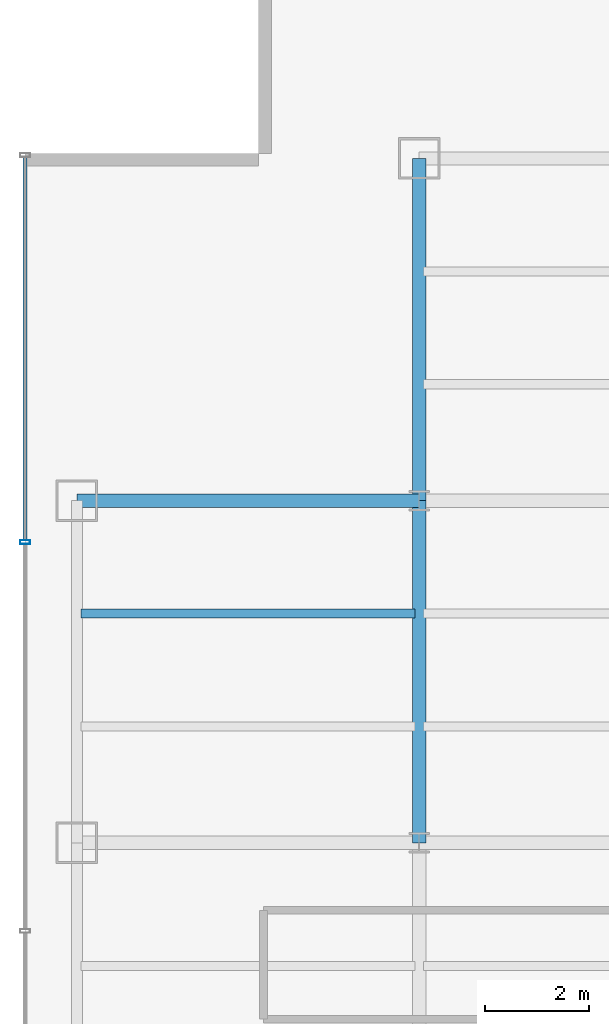
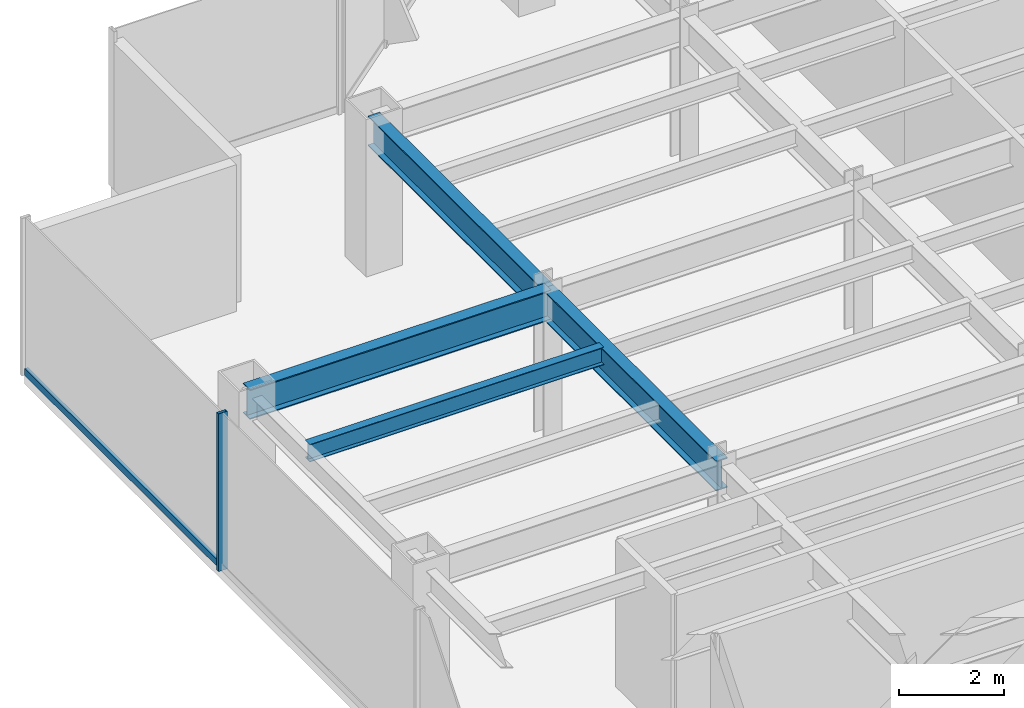
# One storey, part 6 of 26: 4 beams, 2 members, 1 element without a shape of its own.
"""IFC4 building model written with IfcOpenShell, lengths in metres."""

from ifc_helpers import new_model, si_unit, derived_unit, direction, frame, origin, origin_2d, place, context, subcontext, project, spatial, hollow_rectangle, i_section, extrude, source, transform, mapped, material, material_profile, profile_set, type_object, element, aggregate, save


model = new_model("IFC4")

# Units and contexts
model_context = context("Model", 3, precision=1e-05, world=origin(), true_north=direction((0.0, 1.0)))
body_context = subcontext(model_context, "Body", "Model", "MODEL_VIEW")
ifc_project = project(units=[si_unit("LENGTHUNIT", "METRE"), si_unit("AREAUNIT", "SQUARE_METRE"), si_unit("VOLUMEUNIT", "CUBIC_METRE"), si_unit("PLANEANGLEUNIT", "RADIAN"), si_unit("MASSUNIT", "GRAM", prefix="KILO"), derived_unit("THERMALTRANSMITTANCEUNIT", [(si_unit("POWERUNIT", "WATT"), 1), (si_unit("LENGTHUNIT", "METRE"), -2), (si_unit("THERMODYNAMICTEMPERATUREUNIT", "KELVIN"), -1)])], contexts=[model_context])

# Site, building, storey
site_placement = place(None, origin())
site = spatial("IfcSite", under=ifc_project, at=site_placement, CompositionType="ELEMENT")
building_placement = place(site_placement, origin())
building = spatial("IfcBuilding", under=site, at=building_placement, Name="Skarnbrae Concourse Arena and Tower", CompositionType="ELEMENT")
storey_placement = place(building_placement, frame((0.0, 0.0, 95.949951171875)))
storey = spatial("IfcBuildingStorey", under=building, at=storey_placement, Name="L23", CompositionType="ELEMENT", Elevation=95.949951171875)

# Beams
ifc_material_1 = material(Name="Steel CSA G40.21 350W", Category="steel")
ifc_material_profile_1 = material_profile(ifc_material_1, i_section(OverallWidth=0.256103515625, OverallDepth=0.693115234375, WebThickness=0.014404296875, FlangeThickness=0.023681640625, at=origin_2d()), Name="W690X170")
ifc_profile_set_1 = profile_set([ifc_material_profile_1], Name="Steel CSA G40.21 350W")
beam_type_1 = type_object("IfcBeamType", Name="BM-GIRD-W690X170", PredefinedType="BEAM", material=ifc_profile_set_1)
shared_shape_1 = source(origin(), body_context, "Body", "SweptSolid", [
    extrude(i_section(OverallWidth=0.256103515625, OverallDepth=0.693115234375, WebThickness=0.014404296875, FlangeThickness=0.023681640625, at=origin_2d()), origin(), (0.0, 0.0, 1.0), 6.60009765625),
])
for number, where, z_axis, x_axis, name in (
    (1, (1.0, 27.800048828125, 3.053466796875), (1.0, 0.0, 0.0), (0.0, 1.0, 0.0), "L23 Primary E-W girder Y27.8-1"),
    (2, (7.60009765625, 21.199951171875, 3.053466796875), (0.0, 1.0, 0.0), (-1.0, 0.0, 0.0), "L23 Primary N-S girder X7.6-2"),
):
    element("IfcBeam", number, at=place(storey_placement, frame(where, z_axis=z_axis, x_axis=x_axis)), inside=storey, type_object=beam_type_1, Name=name, PredefinedType="BEAM", context=body_context, shape_type="MappedRepresentation", body=[
        mapped(shared_shape_1, transform((0.0, 0.0, 0.0))),
    ])
shared_shape_2 = source(origin(), body_context, "Body", "SweptSolid", [
    extrude(i_section(OverallWidth=0.256103515625, OverallDepth=0.693115234375, WebThickness=0.014404296875, FlangeThickness=0.023681640625, at=origin_2d()), origin(), (0.0, 0.0, 1.0), 6.599853515625),
])
beam_1_placement = place(storey_placement, frame((7.60009765625, 27.800048828125, 3.053466796875), z_axis=(0.0, 1.0, 0.0), x_axis=(-1.0, 0.0, 0.0)))
element("IfcBeam", 3, at=beam_1_placement, inside=storey, type_object=beam_type_1, Name="L23 Primary N-S girder X7.6-3", PredefinedType="BEAM", context=body_context, shape_type="MappedRepresentation", body=[
    mapped(shared_shape_2, transform((0.0, 0.0, 0.0))),
])
ifc_material_profile_2 = material_profile(ifc_material_1, i_section(OverallWidth=0.177978515625, OverallDepth=0.406982421875, WebThickness=0.0078125, FlangeThickness=0.0126953125, at=origin_2d()), Name="W410X60")
ifc_profile_set_2 = profile_set([ifc_material_profile_2], Name="Steel CSA G40.21 350W")
beam_type_2 = type_object("IfcBeamType", Name="BM-JOIST-W410X60", PredefinedType="JOIST", material=ifc_profile_set_2)
shared_shape_3 = source(origin(), body_context, "Body", "SweptSolid", [
    extrude(i_section(OverallWidth=0.177978515625, OverallDepth=0.406982421875, WebThickness=0.0078125, FlangeThickness=0.0126953125, at=origin_2d()), origin(), (0.0, 0.0, 1.0), 6.43994140625),
])
beam_2_placement = place(storey_placement, frame((1.080078125, 25.6220703125, 3.196533203125), z_axis=(1.0, 0.0, 0.0), x_axis=(0.0, 1.0, 0.0)))
element("IfcBeam", 4, at=beam_2_placement, inside=storey, type_object=beam_type_2, Name="L23 Secondary floor joist 2.2.1", PredefinedType="JOIST", context=body_context, shape_type="MappedRepresentation", body=[
    mapped(shared_shape_3, transform((0.0, 0.0, 0.0))),
])

# Curtain wall, members
ifc_material_2 = material(Name="Bronze anodised aluminium 6063-T6", Category="aluminium")
curtain_wall_type = type_object("IfcCurtainWallType", Name="CW-SYS-04-MIDZONE", PredefinedType="USERDEFINED", material=ifc_material_2)
curtain_wall_placement = place(storey_placement, origin())
curtain_wall = element("IfcCurtainWall", 5, at=curtain_wall_placement, inside=storey, type_object=curtain_wall_type, Name="L23 Unitised curtain wall CW-L23-E19", ObjectType="UNITISED CURTAIN WALL", PredefinedType="USERDEFINED")
ifc_material_profile_3 = material_profile(ifc_material_2, hollow_rectangle(XDim=0.074951171875, YDim=0.195068359375, WallThickness=0.00439453125, at=origin_2d()), Name="ALU-MULL-75X195")
ifc_profile_set_3 = profile_set([ifc_material_profile_3], Name="Bronze anodised aluminium 6063-T6")
member_type_1 = type_object("IfcMemberType", Name="CWM-CW-04", PredefinedType="MULLION", material=ifc_profile_set_3)
shared_shape_4 = source(origin(), body_context, "Body", "SweptSolid", [
    extrude(hollow_rectangle(XDim=0.074951171875, YDim=0.195068359375, WallThickness=0.00439453125, at=origin_2d()), origin(), (0.0, 0.0, 1.0), 3.650146484375),
])
member_1_placement = place(storey_placement, frame((0.0, 27.0, 0.0), z_axis=(0.0, 0.0, 1.0), x_axis=(0.0, -1.0, 0.0)))
member_1 = element("IfcMember", 6, at=member_1_placement, type_object=member_type_1, Name="CW-L23-E19 Mullion 2", PredefinedType="MULLION", context=body_context, shape_type="MappedRepresentation", body=[
    mapped(shared_shape_4, transform((0.0, 0.0, 0.0))),
])
ifc_material_profile_4 = material_profile(ifc_material_2, hollow_rectangle(XDim=0.074951171875, YDim=0.159912109375, WallThickness=0.00439453125, at=origin_2d()), Name="ALU-TRAN-75X160")
ifc_profile_set_4 = profile_set([ifc_material_profile_4], Name="Bronze anodised aluminium 6063-T6")
member_type_2 = type_object("IfcMemberType", Name="CWT-CW-04", PredefinedType="USERDEFINED", material=ifc_profile_set_4)
shared_shape_5 = source(origin(), body_context, "Body", "SweptSolid", [
    extrude(hollow_rectangle(XDim=0.074951171875, YDim=0.159912109375, WallThickness=0.00439453125, at=origin_2d()), origin(), (0.0, 0.0, 1.0), 7.387451171875),
])
member_2_placement = place(storey_placement, frame((0.0, 34.425048828125, 0.080078125), z_axis=(0.0, -1.0, 0.0), x_axis=(1.0, 0.0, 0.0)))
member_2 = element("IfcMember", 7, at=member_2_placement, type_object=member_type_2, Name="CW-L23-E19 Transom 1", ObjectType="TRANSOM", PredefinedType="USERDEFINED", context=body_context, shape_type="MappedRepresentation", body=[
    mapped(shared_shape_5, transform((0.0, 0.0, 0.0))),
])
aggregate(curtain_wall, [member_1, member_2])

save(model, "model.ifc")
